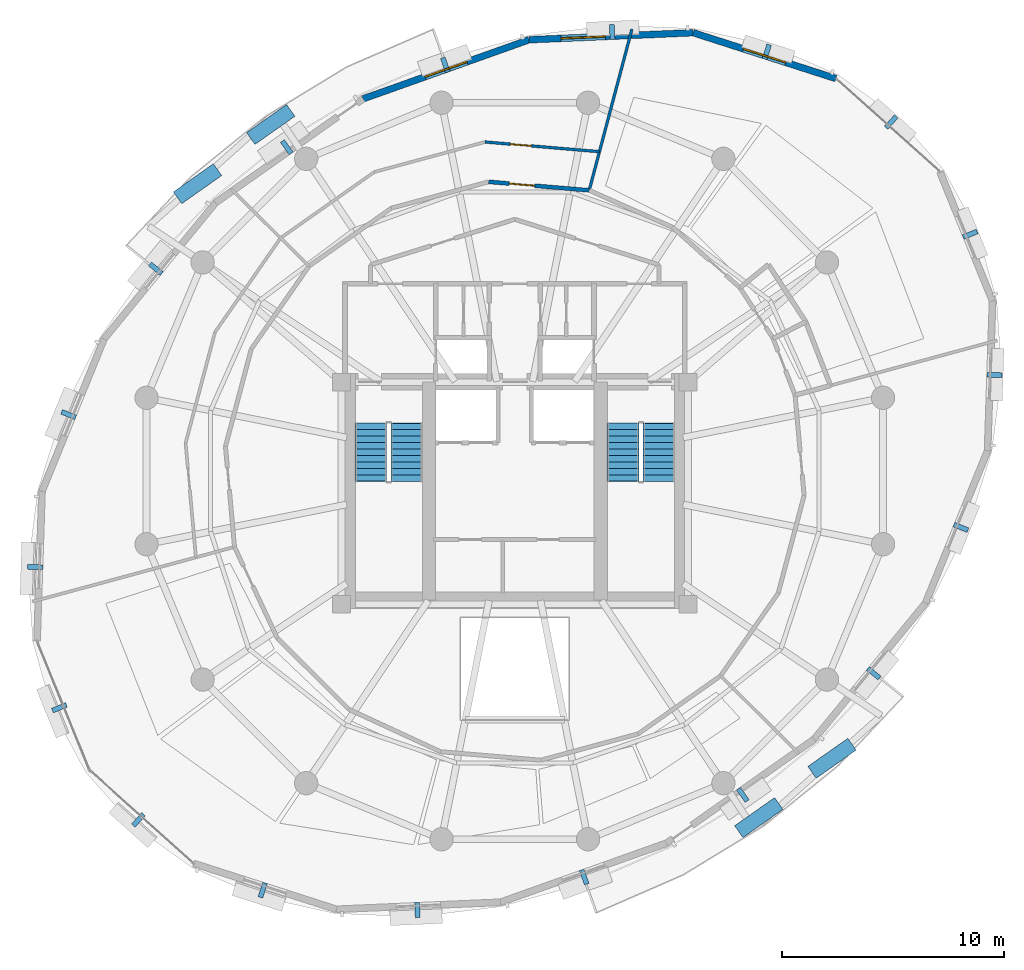
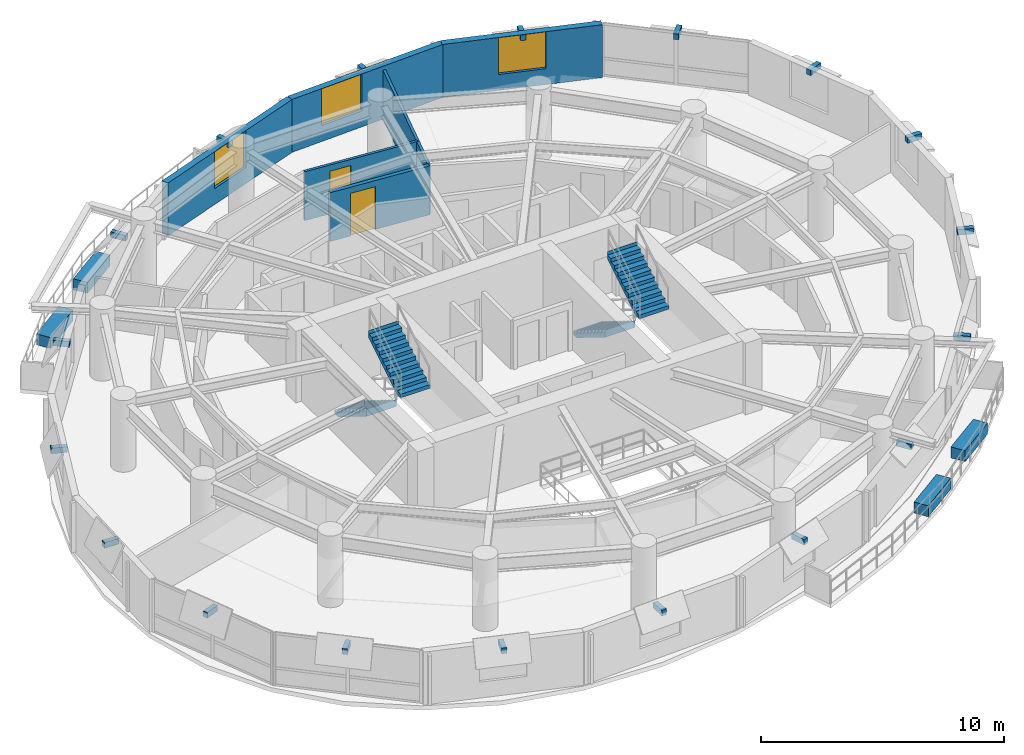
# One storey, part 9 of 11: 22 discrete accessories, 6 walls, 4 stair flights, 3 windows, 2 doors, 5 openings, 2 elements without a shape of their own.
"""IFC4 building model written with IfcOpenShell, lengths in metres."""

from ifc_helpers import new_model, si_unit, direction, frame, frame_2d, origin, origin_2d, place, context, subcontext, project, spatial, polyline, rectangle, outline, extrude, material, layer, layer_set, type_object, element, fill, aggregate, save


model = new_model("IFC4")

# Units and contexts
model_context = context("Model", 3, precision=1e-05, world=origin(), true_north=direction((0.0, 1.0)))
body_context = subcontext(model_context, "Body", "Model", "MODEL_VIEW")
ifc_project = project(units=[si_unit("LENGTHUNIT", "METRE"), si_unit("AREAUNIT", "SQUARE_METRE"), si_unit("VOLUMEUNIT", "CUBIC_METRE"), si_unit("PLANEANGLEUNIT", "RADIAN"), si_unit("MASSUNIT", "GRAM", prefix="KILO"), si_unit("THERMODYNAMICTEMPERATUREUNIT", "KELVIN"), si_unit("POWERUNIT", "WATT")], contexts=[model_context])

# Site, building, storey
site_placement = place(None, origin())
site = spatial("IfcSite", under=ifc_project, at=site_placement, CompositionType="ELEMENT")
building_placement = place(site_placement, origin())
building = spatial("IfcBuilding", under=site, at=building_placement, Name="Ocrelia Relay Tower", CompositionType="ELEMENT")
storey_placement = place(building_placement, frame((0.0, 0.0, 180.800048828125)))
storey = spatial("IfcBuildingStorey", under=building, at=storey_placement, Name="L43", CompositionType="ELEMENT", Elevation=180.800048828125)

# Wall, opening, door
ifc_material_1 = material(Name="Gypsum Fireboard Partition EI60", Category="gypsum")
ifc_layer_1 = layer(ifc_material_1, 0.179931640625, Name="Gypsum Fireboard Partition EI60")
ifc_layer_set_1 = layer_set([ifc_layer_1], Name="Gypsum Fireboard Partition EI60")
wall_type_1 = type_object("IfcWallType", Name="W-CORR-EI60-180", PredefinedType="PARTITIONING", material=ifc_layer_set_1)
wall_1_placement = place(storey_placement, frame((37.349609375, 38.633544921875, 0.0), z_axis=(0.0, 0.0, 1.0), x_axis=(-0.996423393866, 0.084501006843, 0.0)))
wall_1 = element("IfcWall", 1, at=wall_1_placement, inside=storey, type_object=wall_type_1, Name="L43 Cloud Engineering Workspace Corridor Partition 1", PredefinedType="PARTITIONING", context=body_context, shape_type="SweptSolid", body=[
    extrude(rectangle(XDim=4.538818359375, YDim=0.179931640625, at=frame_2d((2.26953125, 0.0))), origin(), (0.0, 0.0, 1.0), 2.4599609375),
])
opening_1_placement = place(wall_1_placement, frame((2.466796875, 0.0, 0.0)))
opening_1 = element("IfcOpeningElement", 2, at=opening_1_placement, cuts=wall_1, Name="Opening D-RM115", PredefinedType="OPENING", context=body_context, shape_type="SweptSolid", body=[
    extrude(rectangle(XDim=1.14990234375, YDim=2.14990234375, at=frame_2d((0.574951171875, 1.074951171875))), frame((0.0, 0.10009765625, 0.0), z_axis=(0.0, -1.0, 0.0), x_axis=(1.0, 0.0, 0.0)), (0.0, 0.0, 1.0), 0.199951171875),
])
ifc_material_2 = material(Name="Wide acoustic oak veneer fire door", Category="wood")
door_type_1 = type_object("IfcDoorType", Name="DR-ROOM-1150", OperationType="NOTDEFINED", PredefinedType="DOOR", material=ifc_material_2)
door_1_placement = place(opening_1_placement, origin())
door_1 = element("IfcDoor", 3, at=door_1_placement, inside=storey, type_object=door_type_1, Name="L43 Cloud Engineering Workspace Entrance Door", OperationType="SINGLE_SWING_LEFT", OverallHeight=2.14990234375, OverallWidth=1.14990234375, PredefinedType="DOOR", context=body_context, shape_type="SweptSolid", body=[
    extrude(rectangle(XDim=1.14990234375, YDim=2.14990234375, at=frame_2d((0.574951171875, 1.074951171875))), frame((0.0, 0.02490234375, 0.0), z_axis=(0.0, -1.0, 0.0), x_axis=(1.0, 0.0, 0.0)), (0.0, 0.0, 1.0), 0.050048828125),
])
fill(opening_1, door_1)

# Wall, opening, window
ifc_material_3 = material(Name="Precast concrete C40/50 with oxide terracotta", Category="masonry")
ifc_layer_2 = layer(ifc_material_3, 0.300048828125, Name="Precast concrete C40/50 with oxide terracotta")
ifc_layer_set_2 = layer_set([ifc_layer_2], Name="Precast concrete C40/50 with oxide terracotta")
wall_type_2 = type_object("IfcWallType", Name="W-EXT-TERR-300", PredefinedType="SOLIDWALL", material=ifc_layer_set_2)
wall_2_placement = place(storey_placement, frame((48.45458984375, 43.6650390625, 0.0), z_axis=(0.0, 0.0, 1.0), x_axis=(-0.952093689629, 0.305806484838, 0.0)))
wall_2 = element("IfcWall", 4, at=wall_2_placement, inside=storey, type_object=wall_type_2, Name="L43 Oxide Terracotta Facade Wall 02", PredefinedType="SOLIDWALL", context=body_context, shape_type="SweptSolid", body=[
    extrude(rectangle(XDim=6.745361328125, YDim=0.300048828125, at=frame_2d((3.37255859375, 0.0))), origin(), (0.0, 0.0, 1.0), 2.659912109375),
])
opening_2_placement = place(wall_2_placement, frame((2.373046875, 0.0, 0.800048828125)))
opening_2 = element("IfcOpeningElement", 5, at=opening_2_placement, cuts=wall_2, Name="Opening W-03", PredefinedType="OPENING", context=body_context, shape_type="SweptSolid", body=[
    extrude(rectangle(XDim=2.0, YDim=1.85009765625, at=frame_2d((1.0, 0.925048828125))), frame((0.0, 0.16015625, 0.0), z_axis=(0.0, -1.0, 0.0), x_axis=(1.0, 0.0, 0.0)), (0.0, 0.0, 1.0), 0.320068359375),
])
ifc_material_4 = material(Name="Clear double-glazed low-E glass", Category="glass")
window_type = type_object("IfcWindowType", Name="WIN-Z3-2000x2200", PartitioningType="DOUBLE_PANEL_VERTICAL", PredefinedType="WINDOW", material=ifc_material_4)
window_1_placement = place(opening_2_placement, origin())
window_1 = element("IfcWindow", 6, at=window_1_placement, inside=storey, type_object=window_type, Name="L43 Facade Module Window 02", OverallHeight=1.85009765625, OverallWidth=2.0, PartitioningType="SINGLE_PANEL", PredefinedType="WINDOW", context=body_context, shape_type="SweptSolid", body=[
    extrude(rectangle(XDim=2.0, YDim=1.85009765625, at=frame_2d((1.0, 0.925048828125))), frame((0.0, 0.030029296875, 0.0), z_axis=(0.0, -1.0, 0.0), x_axis=(1.0, 0.0, 0.0)), (0.0, 0.0, 1.0), 0.06005859375),
])
fill(opening_2, window_1)

wall_3_placement = place(storey_placement, frame((42.032470703125, 45.727783203125, 0.0), z_axis=(0.0, 0.0, 1.0), x_axis=(-0.999082008159, -0.042838545408, 0.0)))
wall_3 = element("IfcWall", 7, at=wall_3_placement, inside=storey, type_object=wall_type_2, Name="L43 Oxide Terracotta Facade Wall 03", PredefinedType="SOLIDWALL", context=body_context, shape_type="SweptSolid", body=[
    extrude(rectangle(XDim=7.3974609375, YDim=0.300048828125, at=frame_2d((3.69873046875, 0.0))), origin(), (0.0, 0.0, 1.0), 2.659912109375),
])
opening_3_placement = place(wall_3_placement, frame((3.9580078125, 0.0, 0.800048828125)))
opening_3 = element("IfcOpeningElement", 8, at=opening_3_placement, cuts=wall_3, Name="Opening W-03", PredefinedType="OPENING", context=body_context, shape_type="SweptSolid", body=[
    extrude(rectangle(XDim=2.0, YDim=1.85009765625, at=frame_2d((1.0, 0.925048828125))), frame((0.0, 0.16015625, 0.0), z_axis=(0.0, -1.0, 0.0), x_axis=(1.0, 0.0, 0.0)), (0.0, 0.0, 1.0), 0.320068359375),
])
window_2_placement = place(opening_3_placement, origin())
window_2 = element("IfcWindow", 9, at=window_2_placement, inside=storey, type_object=window_type, Name="L43 Facade Module Window 03", OverallHeight=1.85009765625, OverallWidth=2.0, PartitioningType="SINGLE_PANEL", PredefinedType="WINDOW", context=body_context, shape_type="SweptSolid", body=[
    extrude(rectangle(XDim=2.0, YDim=1.85009765625, at=frame_2d((1.0, 0.925048828125))), frame((0.0, 0.030029296875, 0.0), z_axis=(0.0, -1.0, 0.0), x_axis=(1.0, 0.0, 0.0)), (0.0, 0.0, 1.0), 0.06005859375),
])
fill(opening_3, window_2)

wall_4_placement = place(storey_placement, frame((34.641845703125, 45.410888671875, 0.0), z_axis=(0.0, 0.0, 1.0), x_axis=(-0.942112030953, -0.335298256979, 0.0)))
wall_4 = element("IfcWall", 10, at=wall_4_placement, inside=storey, type_object=wall_type_2, Name="L43 Oxide Terracotta Facade Wall 04", PredefinedType="SOLIDWALL", context=body_context, shape_type="SweptSolid", body=[
    extrude(rectangle(XDim=7.92724609375, YDim=0.300048828125, at=frame_2d((3.963623046875, 0.0))), origin(), (0.0, 0.0, 1.0), 2.659912109375),
])
opening_4_placement = place(wall_4_placement, frame((2.964111328125, 0.0, 0.800048828125)))
opening_4 = element("IfcOpeningElement", 11, at=opening_4_placement, cuts=wall_4, Name="Opening W-03", PredefinedType="OPENING", context=body_context, shape_type="SweptSolid", body=[
    extrude(rectangle(XDim=2.0, YDim=1.85009765625, at=frame_2d((1.0, 0.925048828125))), frame((0.0, 0.16015625, 0.0), z_axis=(0.0, -1.0, 0.0), x_axis=(1.0, 0.0, 0.0)), (0.0, 0.0, 1.0), 0.320068359375),
])
window_3_placement = place(opening_4_placement, origin())
window_3 = element("IfcWindow", 12, at=window_3_placement, inside=storey, type_object=window_type, Name="L43 Facade Module Window 04", OverallHeight=1.85009765625, OverallWidth=2.0, PartitioningType="SINGLE_PANEL", PredefinedType="WINDOW", context=body_context, shape_type="SweptSolid", body=[
    extrude(rectangle(XDim=2.0, YDim=1.85009765625, at=frame_2d((1.0, 0.925048828125))), frame((0.0, 0.030029296875, 0.0), z_axis=(0.0, -1.0, 0.0), x_axis=(1.0, 0.0, 0.0)), (0.0, 0.0, 1.0), 0.06005859375),
])
fill(opening_4, window_3)

# Wall
ifc_material_5 = material(Name="Acoustic Fireboard Partition EI60", Category="gypsum")
ifc_layer_3 = layer(ifc_material_5, 0.125, Name="Acoustic Fireboard Partition EI60")
ifc_layer_set_3 = layer_set([ifc_layer_3], Name="Acoustic Fireboard Partition EI60")
wall_type_3 = type_object("IfcWallType", Name="W-PART-125", PredefinedType="PARTITIONING", material=ifc_layer_set_3)
wall_5_placement = place(storey_placement, frame((37.349609375, 38.633544921875, 0.0), z_axis=(0.0, 0.0, 1.0), x_axis=(0.256318782517, 0.966592303781, 0.0)))
element("IfcWall", 13, at=wall_5_placement, inside=storey, type_object=wall_type_3, Name="L43 Technical Reference Library Radial Partition", PredefinedType="PARTITIONING", context=body_context, shape_type="SweptSolid", body=[
    extrude(rectangle(XDim=7.509521484375, YDim=0.125, at=frame_2d((3.7548828125, 0.0))), origin(), (0.0, 0.0, 1.0), 2.4599609375),
])

# Wall, opening, door
wall_6_placement = place(storey_placement, frame((37.81103515625, 40.373291015625, 0.0), z_axis=(0.0, 0.0, 1.0), x_axis=(-0.996417104381, 0.084575138764, 0.0)))
wall_6 = element("IfcWall", 14, at=wall_6_placement, inside=storey, type_object=wall_type_3, Name="L43 Perimeter Cloud Engineering Workspace Mid-Ring Partition 1", PredefinedType="PARTITIONING", context=body_context, shape_type="SweptSolid", body=[
    extrude(rectangle(XDim=5.164306640625, YDim=0.125, at=frame_2d((2.58203125, 0.0))), origin(), (0.0, 0.0, 1.0), 2.4599609375),
])
opening_5_placement = place(wall_6_placement, frame((3.07080078125, 0.0, 0.0)))
opening_5 = element("IfcOpeningElement", 15, at=opening_5_placement, cuts=wall_6, Name="Opening D-RM95", PredefinedType="OPENING", context=body_context, shape_type="SweptSolid", body=[
    extrude(rectangle(XDim=0.949951171875, YDim=2.14990234375, at=frame_2d((0.47509765625, 1.074951171875))), frame((0.0, 0.072509765625, 0.0), z_axis=(0.0, -1.0, 0.0), x_axis=(1.0, 0.0, 0.0)), (0.0, 0.0, 1.0), 0.14501953125),
])
ifc_material_6 = material(Name="Acoustic oak veneer fire door", Category="wood")
door_type_2 = type_object("IfcDoorType", Name="DR-ROOM-950", OperationType="NOTDEFINED", PredefinedType="DOOR", material=ifc_material_6)
door_2_placement = place(opening_5_placement, origin())
door_2 = element("IfcDoor", 16, at=door_2_placement, inside=storey, type_object=door_type_2, Name="L43 Perimeter Cloud Engineering Workspace Connecting Door", OperationType="SINGLE_SWING_RIGHT", OverallHeight=2.14990234375, OverallWidth=0.949951171875, PredefinedType="DOOR", context=body_context, shape_type="SweptSolid", body=[
    extrude(rectangle(XDim=0.949951171875, YDim=2.14990234375, at=frame_2d((0.47509765625, 1.074951171875))), frame((0.0, 0.02490234375, 0.0), z_axis=(0.0, -1.0, 0.0), x_axis=(1.0, 0.0, 0.0)), (0.0, 0.0, 1.0), 0.050048828125),
])
fill(opening_5, door_2)

# Stair, stair flights
ifc_material_7 = material(Name="Concrete C50/60", Category="concrete")
stair_type = type_object("IfcStairType", Name="ST-DL-1420-R180", PredefinedType="HALF_TURN_STAIR", material=ifc_material_7)
stair_1_placement = place(storey_placement, origin())
stair_1 = element("IfcStair", 17, at=stair_1_placement, inside=storey, type_object=stair_type, Name="L43 West Core Exit Stair ST1", PredefinedType="HALF_TURN_STAIR")
stair_flight_type = type_object("IfcStairFlightType", Name="STF-DL-1420-R180", PredefinedType="STRAIGHT", material=ifc_material_7)
stair_flight_1_placement = place(storey_placement, frame((27.52001953125, 28.14990234375, 0.0), z_axis=(0.0, 0.0, 1.0), x_axis=(0.0, -1.0, 0.0)))
stair_flight_1 = element("IfcStairFlight", 18, at=stair_flight_1_placement, type_object=stair_flight_type, Name="ST1 flight 1", NumberOfRisers=10, NumberOfTreads=9, PredefinedType="STRAIGHT", RiserHeight=0.18, TreadLength=0.29, context=body_context, shape_type="SweptSolid", body=[
    extrude(outline(polyline([(-0.008056640625, 0.0), (-0.008056640625, 0.179931640625), (0.0, 0.179931640625), (0.2900390625, 0.179931640625), (0.2900390625, 0.360107421875), (0.580078125, 0.360107421875), (0.580078125, 0.5400390625), (0.8701171875, 0.5400390625), (0.8701171875, 0.719970703125), (1.159912109375, 0.719970703125), (1.159912109375, 0.89990234375), (1.449951171875, 0.89990234375), (1.449951171875, 1.080078125), (1.739990234375, 1.080078125), (1.739990234375, 1.260009765625), (2.030029296875, 1.260009765625), (2.030029296875, 1.43994140625), (2.320068359375, 1.43994140625), (2.320068359375, 1.6201171875), (2.610107421875, 1.6201171875), (2.610107421875, 1.800048828125), (2.617919921875, 1.800048828125), (2.617919921875, 1.443603515625), (0.2841796875, 0.0), (-0.008056640625, 0.0)])), frame((0.0, 0.7099609375, 0.0), z_axis=(0.0, -1.0, 0.0), x_axis=(1.0, 0.0, 0.0)), (0.0, 0.0, 1.0), 1.419921875),
])
stair_flight_2_placement = place(storey_placement, frame((29.139892578125, 25.5400390625, 1.800048828125), z_axis=(0.0, 0.0, 1.0), x_axis=(0.0, 1.0, 0.0)))
stair_flight_2 = element("IfcStairFlight", 19, at=stair_flight_2_placement, type_object=stair_flight_type, Name="ST1 flight 2", NumberOfRisers=10, NumberOfTreads=9, PredefinedType="STRAIGHT", RiserHeight=0.18, TreadLength=0.29, context=body_context, shape_type="SweptSolid", body=[
    extrude(outline(polyline([(-0.008056640625, 0.0), (-0.008056640625, 0.179931640625), (0.0, 0.179931640625), (0.2900390625, 0.179931640625), (0.2900390625, 0.360107421875), (0.580078125, 0.360107421875), (0.580078125, 0.5400390625), (0.8701171875, 0.5400390625), (0.8701171875, 0.719970703125), (1.159912109375, 0.719970703125), (1.159912109375, 0.89990234375), (1.449951171875, 0.89990234375), (1.449951171875, 1.080078125), (1.739990234375, 1.080078125), (1.739990234375, 1.260009765625), (2.030029296875, 1.260009765625), (2.030029296875, 1.43994140625), (2.320068359375, 1.43994140625), (2.320068359375, 1.6201171875), (2.610107421875, 1.6201171875), (2.610107421875, 1.800048828125), (2.617919921875, 1.800048828125), (2.617919921875, 1.443603515625), (0.2841796875, 0.0), (-0.008056640625, 0.0)])), frame((0.0, 0.7099609375, 0.0), z_axis=(0.0, -1.0, 0.0), x_axis=(1.0, 0.0, 0.0)), (0.0, 0.0, 1.0), 1.419921875),
])
aggregate(stair_1, [stair_flight_1, stair_flight_2])

stair_2_placement = place(storey_placement, origin())
stair_2 = element("IfcStair", 20, at=stair_2_placement, inside=storey, type_object=stair_type, Name="L43 East Core Exit Stair ST2", PredefinedType="HALF_TURN_STAIR")
stair_flight_3_placement = place(storey_placement, frame((38.8701171875, 28.14990234375, 0.0), z_axis=(0.0, 0.0, 1.0), x_axis=(0.0, -1.0, 0.0)))
stair_flight_3 = element("IfcStairFlight", 21, at=stair_flight_3_placement, type_object=stair_flight_type, Name="ST2 flight 1", NumberOfRisers=10, NumberOfTreads=9, PredefinedType="STRAIGHT", RiserHeight=0.18, TreadLength=0.29, context=body_context, shape_type="SweptSolid", body=[
    extrude(outline(polyline([(-0.008056640625, 0.0), (-0.008056640625, 0.179931640625), (0.0, 0.179931640625), (0.2900390625, 0.179931640625), (0.2900390625, 0.360107421875), (0.580078125, 0.360107421875), (0.580078125, 0.5400390625), (0.8701171875, 0.5400390625), (0.8701171875, 0.719970703125), (1.159912109375, 0.719970703125), (1.159912109375, 0.89990234375), (1.449951171875, 0.89990234375), (1.449951171875, 1.080078125), (1.739990234375, 1.080078125), (1.739990234375, 1.260009765625), (2.030029296875, 1.260009765625), (2.030029296875, 1.43994140625), (2.320068359375, 1.43994140625), (2.320068359375, 1.6201171875), (2.610107421875, 1.6201171875), (2.610107421875, 1.800048828125), (2.617919921875, 1.800048828125), (2.617919921875, 1.443603515625), (0.2841796875, 0.0), (-0.008056640625, 0.0)])), frame((0.0, 0.7099609375, 0.0), z_axis=(0.0, -1.0, 0.0), x_axis=(1.0, 0.0, 0.0)), (0.0, 0.0, 1.0), 1.419921875),
])
stair_flight_4_placement = place(storey_placement, frame((40.489990234375, 25.5400390625, 1.800048828125), z_axis=(0.0, 0.0, 1.0), x_axis=(0.0, 1.0, 0.0)))
stair_flight_4 = element("IfcStairFlight", 22, at=stair_flight_4_placement, type_object=stair_flight_type, Name="ST2 flight 2", NumberOfRisers=10, NumberOfTreads=9, PredefinedType="STRAIGHT", RiserHeight=0.18, TreadLength=0.29, context=body_context, shape_type="SweptSolid", body=[
    extrude(outline(polyline([(-0.008056640625, 0.0), (-0.008056640625, 0.179931640625), (0.0, 0.179931640625), (0.2900390625, 0.179931640625), (0.2900390625, 0.360107421875), (0.580078125, 0.360107421875), (0.580078125, 0.5400390625), (0.8701171875, 0.5400390625), (0.8701171875, 0.719970703125), (1.159912109375, 0.719970703125), (1.159912109375, 0.89990234375), (1.449951171875, 0.89990234375), (1.449951171875, 1.080078125), (1.739990234375, 1.080078125), (1.739990234375, 1.260009765625), (2.030029296875, 1.260009765625), (2.030029296875, 1.43994140625), (2.320068359375, 1.43994140625), (2.320068359375, 1.6201171875), (2.610107421875, 1.6201171875), (2.610107421875, 1.800048828125), (2.617919921875, 1.800048828125), (2.617919921875, 1.443603515625), (0.2841796875, 0.0), (-0.008056640625, 0.0)])), frame((0.0, 0.7099609375, 0.0), z_axis=(0.0, -1.0, 0.0), x_axis=(1.0, 0.0, 0.0)), (0.0, 0.0, 1.0), 1.419921875),
])
aggregate(stair_2, [stair_flight_3, stair_flight_4])

# Discrete accessories
ifc_material_8 = material(Name="Precast concrete C40/50 planter with highland greenery", Category="concrete")
discrete_accessory_type_1 = type_object("IfcDiscreteAccessoryType", Name="ACC-BALC-PLANTER", PredefinedType="USERDEFINED", material=ifc_material_8)
for number, where, z_axis, x_axis, name in (
    (23, (23.016845703125, 41.5986328125, 0.0), (0.0, 0.0, 1.0), (0.817648918276, 0.575717158371, 0.0), "L43 Balcony Terracotta Planter with Greenery B1"),
    (24, (19.721923828125, 38.931396484375, 0.0), (0.0, 0.0, 1.0), (0.817648918276, 0.575717158371, 0.0), "L43 Balcony Terracotta Planter B1-2"),
    (25, (44.983154296875, 10.4013671875, 0.0), (0.0, 0.0, 1.0), (-0.817648918276, -0.575717158371, 0.0), "L43 Balcony Terracotta Planter with Greenery B2"),
    (26, (48.278076171875, 13.068603515625, 0.0), (0.0, 0.0, 1.0), (-0.817648918276, -0.575717158371, 0.0), "L43 Balcony Terracotta Planter B2-2"),
):
    element("IfcDiscreteAccessory", number, at=place(storey_placement, frame(where, z_axis=z_axis, x_axis=x_axis)), inside=storey, type_object=discrete_accessory_type_1, Name=name, ObjectType="PLANTER", PredefinedType="USERDEFINED", context=body_context, shape_type="SweptSolid", body=[
        extrude(rectangle(XDim=2.199951171875, YDim=0.64990234375, at=origin_2d()), origin(), (0.0, 0.0, 1.0), 0.550048828125),
    ])
ifc_material_9 = material(Name="Steel S355", Category="steel")
discrete_accessory_type_2 = type_object("IfcDiscreteAccessoryType", Name="ACC-VISOR-BRACKET", PredefinedType="BRACKET", material=ifc_material_9)
for number, where, z_axis, x_axis, name in (
    (27, (50.9404296875, 41.704345703125, 2.35986328125), (0.0, 0.0, 1.0), (-0.744665730889, 0.66743759951, 0.0), "L43 Visor Mounting Bracket 01"),
    (28, (45.3466796875, 44.867919921875, 2.35986328125), (0.0, 0.0, 1.0), (-0.952093943158, 0.305805695504, 0.0), "L43 Visor Mounting Bracket 02"),
    (29, (38.38037109375, 45.7646484375, 2.35986328125), (0.0, 0.0, 1.0), (-0.999082573602, -0.042825356101, 0.0), "L43 Visor Mounting Bracket 03"),
    (30, (30.8740234375, 44.279052734375, 2.35986328125), (0.0, 0.0, 1.0), (-0.94210553613, -0.335316505399, 0.0), "L43 Visor Mounting Bracket 04"),
    (31, (23.736083984375, 40.5771484375, 2.35986328125), (0.0, 0.0, 1.0), (-0.817648307618, -0.575718025642, 0.0), "L43 Visor Mounting Bracket 05"),
    (32, (17.844482421875, 35.104736328125, 2.35986328125), (0.0, 0.0, 1.0), (-0.633265954699, -0.773934254714, 0.0), "L43 Visor Mounting Bracket 06"),
    (33, (13.91552734375, 28.53857421875, 2.35986328125), (0.0, 0.0, 1.0), (-0.377114814891, -0.926166516556, 0.0), "L43 Visor Mounting Bracket 07"),
    (34, (12.41162109375, 21.677734375, 2.35986328125), (0.0, 0.0, 1.0), (-0.033031480205, -0.99945431177, 0.0), "L43 Visor Mounting Bracket 08"),
    (35, (13.504150390625, 15.344970703125, 2.35986328125), (0.0, 0.0, 1.0), (0.377340873582, -0.92607443822, 0.0), "L43 Visor Mounting Bracket 09"),
    (36, (17.0595703125, 10.295654296875, 2.35986328125), (0.0, 0.0, 1.0), (0.744665730889, -0.66743759951, 0.0), "L43 Visor Mounting Bracket 10"),
    (37, (22.6533203125, 7.132080078125, 2.35986328125), (0.0, 0.0, 1.0), (0.952093943158, -0.305805695504, 0.0), "L43 Visor Mounting Bracket 11"),
    (38, (29.61962890625, 6.2353515625, 2.35986328125), (0.0, 0.0, 1.0), (0.999082573602, 0.042825356101, 0.0), "L43 Visor Mounting Bracket 12"),
    (39, (37.1259765625, 7.720947265625, 2.35986328125), (0.0, 0.0, 1.0), (0.94210553613, 0.335316505399, 0.0), "L43 Visor Mounting Bracket 13"),
    (40, (44.263916015625, 11.4228515625, 2.35986328125), (0.0, 0.0, 1.0), (0.817648307618, 0.575718025642, 0.0), "L43 Visor Mounting Bracket 14"),
    (41, (50.155517578125, 16.895263671875, 2.35986328125), (0.0, 0.0, 1.0), (0.633265954699, 0.773934254714, 0.0), "L43 Visor Mounting Bracket 15"),
    (42, (54.08447265625, 23.46142578125, 2.35986328125), (0.0, 0.0, 1.0), (0.377114814891, 0.926166516556, 0.0), "L43 Visor Mounting Bracket 16"),
    (43, (55.58837890625, 30.322265625, 2.35986328125), (0.0, 0.0, 1.0), (0.033031480205, 0.99945431177, 0.0), "L43 Visor Mounting Bracket 17"),
    (44, (54.495849609375, 36.655029296875, 2.35986328125), (0.0, 0.0, 1.0), (-0.377340873582, 0.92607443822, 0.0), "L43 Visor Mounting Bracket 18"),
):
    element("IfcDiscreteAccessory", number, at=place(storey_placement, frame(where, z_axis=z_axis, x_axis=x_axis)), inside=storey, type_object=discrete_accessory_type_2, Name=name, PredefinedType="BRACKET", context=body_context, shape_type="SweptSolid", body=[
        extrude(rectangle(XDim=0.219970703125, YDim=0.679931640625, at=origin_2d()), origin(), (0.0, 0.0, 1.0), 0.280029296875),
    ])

save(model, "model.ifc")
